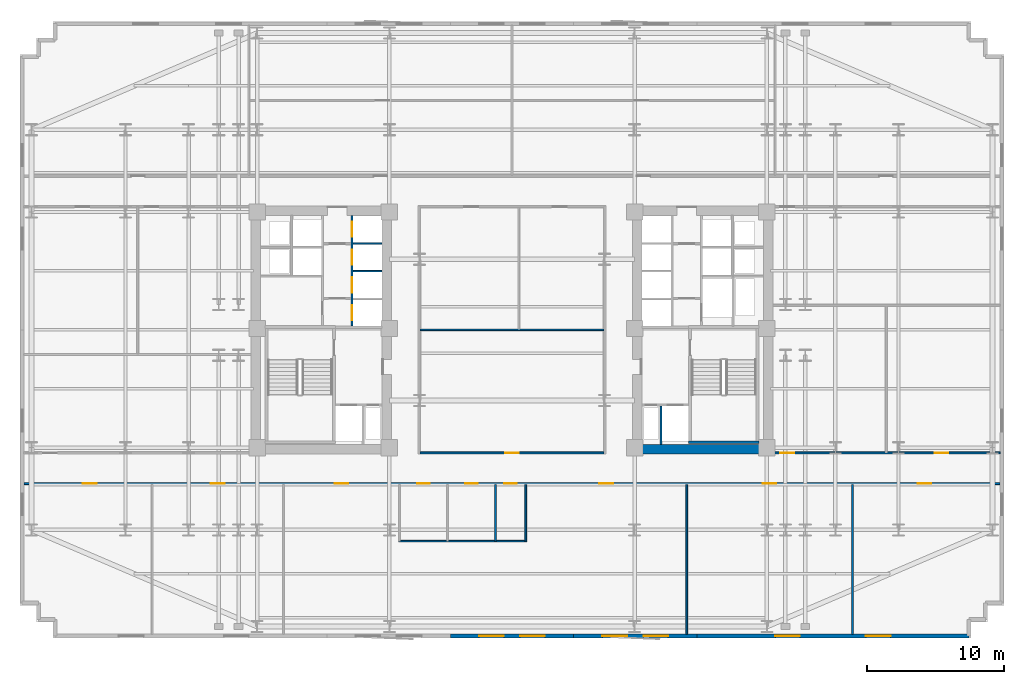
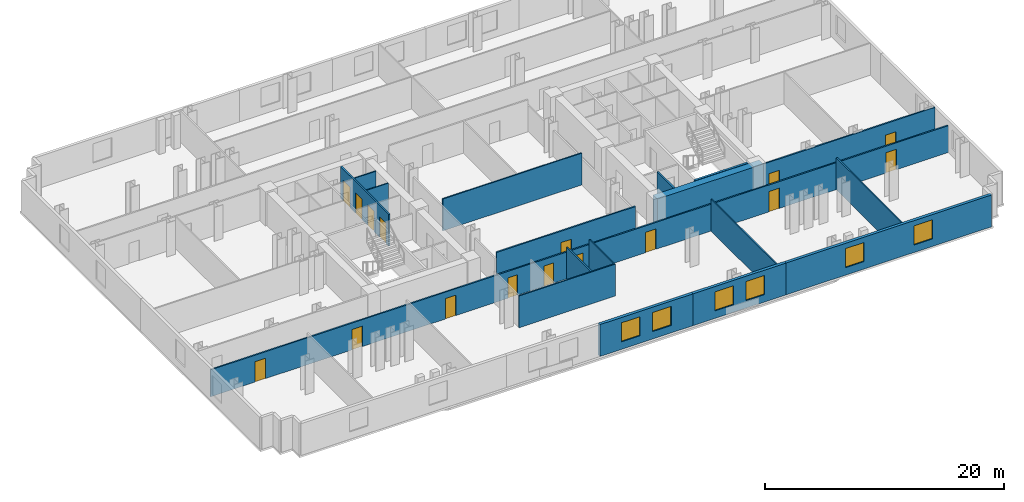
# One storey, part 5 of 10: 18 walls, 16 doors, 6 windows, 22 openings.
"""IFC4 building model written with IfcOpenShell, lengths in metres."""

from ifc_helpers import new_model, si_unit, direction, frame, frame_2d, origin, place, context, subcontext, project, spatial, rectangle, extrude, material, layer, layer_set, type_object, element, fill, save


model = new_model("IFC4")

# Units and contexts
model_context = context("Model", 3, precision=1e-05, world=origin(), true_north=direction((0.0, 1.0)))
body_context = subcontext(model_context, "Body", "Model", "MODEL_VIEW")
ifc_project = project(units=[si_unit("LENGTHUNIT", "METRE"), si_unit("AREAUNIT", "SQUARE_METRE"), si_unit("VOLUMEUNIT", "CUBIC_METRE"), si_unit("PLANEANGLEUNIT", "RADIAN"), si_unit("MASSUNIT", "GRAM", prefix="KILO")], contexts=[model_context])

# Site, building, storey
site_placement = place(None, origin())
site = spatial("IfcSite", under=ifc_project, at=site_placement, CompositionType="ELEMENT")
building_placement = place(site_placement, origin())
building = spatial("IfcBuilding", under=site, at=building_placement, Name="Velakula Bourse", CompositionType="ELEMENT")
storey_placement = place(building_placement, frame((0.0, 0.0, 55.35009765625)))
storey = spatial("IfcBuildingStorey", under=building, at=storey_placement, Name="L14", CompositionType="ELEMENT", Elevation=55.35009765625)

# Walls
ifc_material_1 = material(Name="Concrete M50 (fck 50 MPa)", Category="concrete")
ifc_layer_1 = layer(ifc_material_1, 0.2099609375, Name="Concrete M50 (fck 50 MPa)", Category="concrete")
ifc_layer_set_1 = layer_set([ifc_layer_1], Name="Concrete M50 (fck 50 MPa)")
wall_type_1 = type_object("IfcWallType", Name="WL-CORE-210", PredefinedType="SHEAR", material=ifc_layer_set_1)
wall_1_placement = place(storey_placement, frame((12.889892578125, -8.205078125, 0.0), z_axis=(0.0, 0.0, 1.0), x_axis=(1.0, 0.0, 0.0)))
element("IfcWall", 1, at=wall_1_placement, inside=storey, type_object=wall_type_1, Name="L14 Core E Stairwell Shear Wall S", PredefinedType="SHEAR", context=body_context, shape_type="SweptSolid", body=[
    extrude(rectangle(XDim=5.14013671875, YDim=0.2099609375, at=frame_2d((2.570068359375, 0.0))), origin(), (0.0, 0.0, 1.0), 3.27001953125),
])
ifc_material_2 = material(Name="Concrete M70 (fck 70 MPa)", Category="concrete")
ifc_layer_2 = layer(ifc_material_2, 0.699951171875, Name="Concrete M70 (fck 70 MPa)", Category="concrete")
ifc_layer_set_2 = layer_set([ifc_layer_2], Name="Concrete M70 (fck 70 MPa)")
wall_type_2 = type_object("IfcWallType", Name="WL-CORE-700", PredefinedType="SHEAR", material=ifc_layer_set_2)
wall_2_placement = place(storey_placement, frame((8.800048828125, -8.699951171875, 0.0), z_axis=(0.0, 0.0, 1.0), x_axis=(1.0, 0.0, 0.0)))
element("IfcWall", 2, at=wall_2_placement, inside=storey, type_object=wall_type_2, Name="L14 Core E Shear Wall S", PredefinedType="SHEAR", context=body_context, shape_type="SweptSolid", body=[
    extrude(rectangle(XDim=10.25, YDim=0.699951171875, at=frame_2d((5.125, 0.0))), origin(), (0.0, 0.0, 1.0), 3.27001953125),
])

# Wall, openings, windows
ifc_material_3 = material(Name="Red kilned clay facing brick masonry", Category="masonry")
ifc_layer_3 = layer(ifc_material_3, 0.280029296875, Name="Red kilned clay facing brick masonry", Category="masonry")
ifc_layer_set_3 = layer_set([ifc_layer_3], Name="Red kilned clay facing brick masonry")
wall_type_3 = type_object("IfcWallType", Name="WL-EXT-BRK-280", PredefinedType="STANDARD", material=ifc_layer_set_3)
wall_3_placement = place(storey_placement, frame((4.5, -22.340087890625, 0.0), z_axis=(0.0, 0.0, 1.0), x_axis=(-1.0, 0.0, 0.0)))
wall_3 = element("IfcWall", 3, at=wall_3_placement, inside=storey, type_object=wall_type_3, Name="L14 S Brick Spandrel Wall B3", PredefinedType="STANDARD", context=body_context, shape_type="SweptSolid", body=[
    extrude(rectangle(XDim=9.0, YDim=0.280029296875, at=frame_2d((4.5, 0.0))), origin(), (0.0, 0.0, 1.0), 3.25),
])
opening_1_placement = place(wall_3_placement, frame((2.10009765625, 0.0, 0.760009765625)))
opening_1 = element("IfcOpeningElement", 4, at=opening_1_placement, cuts=wall_3, Name="Opening W-01", PredefinedType="OPENING", context=body_context, shape_type="SweptSolid", body=[
    extrude(rectangle(XDim=1.800048828125, YDim=1.949951171875, at=frame_2d((0.89990234375, 0.97509765625))), frame((0.0, 0.14990234375, 0.0), z_axis=(0.0, -1.0, 0.0), x_axis=(1.0, 0.0, 0.0)), (0.0, 0.0, 1.0), 0.300048828125),
])
opening_2_placement = place(wall_3_placement, frame((5.10009765625, 0.0, 0.760009765625)))
opening_2 = element("IfcOpeningElement", 5, at=opening_2_placement, cuts=wall_3, Name="Opening W-01", PredefinedType="OPENING", context=body_context, shape_type="SweptSolid", body=[
    extrude(rectangle(XDim=1.800048828125, YDim=1.949951171875, at=frame_2d((0.89990234375, 0.97509765625))), frame((0.0, 0.14990234375, 0.0), z_axis=(0.0, -1.0, 0.0), x_axis=(1.0, 0.0, 0.0)), (0.0, 0.0, 1.0), 0.300048828125),
])
ifc_material_4 = material(Name="Double-glazed solar-control Low-E glass", Category="glass")
window_type = type_object("IfcWindowType", Name="WIN-TWR-1800x2100", PartitioningType="SINGLE_PANEL", PredefinedType="WINDOW", material=ifc_material_4)
window_1_placement = place(opening_1_placement, origin())
window_1 = element("IfcWindow", 6, at=window_1_placement, inside=storey, type_object=window_type, Name="L14 Deep-Set Recessed Window 1", OverallHeight=1.949951171875, OverallWidth=1.800048828125, PartitioningType="SINGLE_PANEL", PredefinedType="WINDOW", context=body_context, shape_type="SweptSolid", body=[
    extrude(rectangle(XDim=1.800048828125, YDim=1.949951171875, at=frame_2d((0.89990234375, 0.97509765625))), frame((0.0, 0.030029296875, 0.0), z_axis=(0.0, -1.0, 0.0), x_axis=(1.0, 0.0, 0.0)), (0.0, 0.0, 1.0), 0.06005859375),
])
fill(opening_1, window_1)
window_2_placement = place(opening_2_placement, origin())
window_2 = element("IfcWindow", 7, at=window_2_placement, inside=storey, type_object=window_type, Name="L14 Deep-Set Recessed Window 2", OverallHeight=1.949951171875, OverallWidth=1.800048828125, PartitioningType="SINGLE_PANEL", PredefinedType="WINDOW", context=body_context, shape_type="SweptSolid", body=[
    extrude(rectangle(XDim=1.800048828125, YDim=1.949951171875, at=frame_2d((0.89990234375, 0.97509765625))), frame((0.0, 0.030029296875, 0.0), z_axis=(0.0, -1.0, 0.0), x_axis=(1.0, 0.0, 0.0)), (0.0, 0.0, 1.0), 0.06005859375),
])
fill(opening_2, window_2)

wall_4_placement = place(storey_placement, frame((13.5, -22.340087890625, 0.0), z_axis=(0.0, 0.0, 1.0), x_axis=(-1.0, 0.0, 0.0)))
wall_4 = element("IfcWall", 8, at=wall_4_placement, inside=storey, type_object=wall_type_3, Name="L14 S Brick Spandrel Wall B4", PredefinedType="STANDARD", context=body_context, shape_type="SweptSolid", body=[
    extrude(rectangle(XDim=9.0, YDim=0.280029296875, at=frame_2d((4.5, 0.0))), origin(), (0.0, 0.0, 1.0), 3.25),
])
opening_3_placement = place(wall_4_placement, frame((2.10009765625, 0.0, 0.760009765625)))
opening_3 = element("IfcOpeningElement", 9, at=opening_3_placement, cuts=wall_4, Name="Opening W-01", PredefinedType="OPENING", context=body_context, shape_type="SweptSolid", body=[
    extrude(rectangle(XDim=1.800048828125, YDim=1.949951171875, at=frame_2d((0.89990234375, 0.97509765625))), frame((0.0, 0.14990234375, 0.0), z_axis=(0.0, -1.0, 0.0), x_axis=(1.0, 0.0, 0.0)), (0.0, 0.0, 1.0), 0.300048828125),
])
opening_4_placement = place(wall_4_placement, frame((5.10009765625, 0.0, 0.760009765625)))
opening_4 = element("IfcOpeningElement", 10, at=opening_4_placement, cuts=wall_4, Name="Opening W-01", PredefinedType="OPENING", context=body_context, shape_type="SweptSolid", body=[
    extrude(rectangle(XDim=1.800048828125, YDim=1.949951171875, at=frame_2d((0.89990234375, 0.97509765625))), frame((0.0, 0.14990234375, 0.0), z_axis=(0.0, -1.0, 0.0), x_axis=(1.0, 0.0, 0.0)), (0.0, 0.0, 1.0), 0.300048828125),
])
window_3_placement = place(opening_3_placement, origin())
window_3 = element("IfcWindow", 11, at=window_3_placement, inside=storey, type_object=window_type, Name="L14 Deep-Set Recessed Window 1", OverallHeight=1.949951171875, OverallWidth=1.800048828125, PartitioningType="SINGLE_PANEL", PredefinedType="WINDOW", context=body_context, shape_type="SweptSolid", body=[
    extrude(rectangle(XDim=1.800048828125, YDim=1.949951171875, at=frame_2d((0.89990234375, 0.97509765625))), frame((0.0, 0.030029296875, 0.0), z_axis=(0.0, -1.0, 0.0), x_axis=(1.0, 0.0, 0.0)), (0.0, 0.0, 1.0), 0.06005859375),
])
fill(opening_3, window_3)
window_4_placement = place(opening_4_placement, origin())
window_4 = element("IfcWindow", 12, at=window_4_placement, inside=storey, type_object=window_type, Name="L14 Deep-Set Recessed Window 2", OverallHeight=1.949951171875, OverallWidth=1.800048828125, PartitioningType="SINGLE_PANEL", PredefinedType="WINDOW", context=body_context, shape_type="SweptSolid", body=[
    extrude(rectangle(XDim=1.800048828125, YDim=1.949951171875, at=frame_2d((0.89990234375, 0.97509765625))), frame((0.0, 0.030029296875, 0.0), z_axis=(0.0, -1.0, 0.0), x_axis=(1.0, 0.0, 0.0)), (0.0, 0.0, 1.0), 0.06005859375),
])
fill(opening_4, window_4)

wall_5_placement = place(storey_placement, frame((33.340087890625, -22.340087890625, 0.0), z_axis=(0.0, 0.0, 1.0), x_axis=(-1.0, 0.0, 0.0)))
wall_5 = element("IfcWall", 13, at=wall_5_placement, inside=storey, type_object=wall_type_3, Name="L14 S Brick Spandrel Wall B5", PredefinedType="STANDARD", context=body_context, shape_type="SweptSolid", body=[
    extrude(rectangle(XDim=19.840087890625, YDim=0.280029296875, at=frame_2d((9.919921875, 0.0))), origin(), (0.0, 0.0, 1.0), 3.25),
])
opening_5_placement = place(wall_5_placement, frame((5.71337890625, 0.0, 0.760009765625)))
opening_5 = element("IfcOpeningElement", 14, at=opening_5_placement, cuts=wall_5, Name="Opening W-01", PredefinedType="OPENING", context=body_context, shape_type="SweptSolid", body=[
    extrude(rectangle(XDim=1.800048828125, YDim=1.949951171875, at=frame_2d((0.89990234375, 0.97509765625))), frame((0.0, 0.14990234375, 0.0), z_axis=(0.0, -1.0, 0.0), x_axis=(1.0, 0.0, 0.0)), (0.0, 0.0, 1.0), 0.300048828125),
])
opening_6_placement = place(wall_5_placement, frame((12.32666015625, 0.0, 0.760009765625)))
opening_6 = element("IfcOpeningElement", 15, at=opening_6_placement, cuts=wall_5, Name="Opening W-01", PredefinedType="OPENING", context=body_context, shape_type="SweptSolid", body=[
    extrude(rectangle(XDim=1.800048828125, YDim=1.949951171875, at=frame_2d((0.89990234375, 0.97509765625))), frame((0.0, 0.14990234375, 0.0), z_axis=(0.0, -1.0, 0.0), x_axis=(1.0, 0.0, 0.0)), (0.0, 0.0, 1.0), 0.300048828125),
])
window_5_placement = place(opening_5_placement, origin())
window_5 = element("IfcWindow", 16, at=window_5_placement, inside=storey, type_object=window_type, Name="L14 Deep-Set Recessed Window 1", OverallHeight=1.949951171875, OverallWidth=1.800048828125, PartitioningType="SINGLE_PANEL", PredefinedType="WINDOW", context=body_context, shape_type="SweptSolid", body=[
    extrude(rectangle(XDim=1.800048828125, YDim=1.949951171875, at=frame_2d((0.89990234375, 0.97509765625))), frame((0.0, 0.030029296875, 0.0), z_axis=(0.0, -1.0, 0.0), x_axis=(1.0, 0.0, 0.0)), (0.0, 0.0, 1.0), 0.06005859375),
])
fill(opening_5, window_5)
window_6_placement = place(opening_6_placement, origin())
window_6 = element("IfcWindow", 17, at=window_6_placement, inside=storey, type_object=window_type, Name="L14 Deep-Set Recessed Window 2", OverallHeight=1.949951171875, OverallWidth=1.800048828125, PartitioningType="SINGLE_PANEL", PredefinedType="WINDOW", context=body_context, shape_type="SweptSolid", body=[
    extrude(rectangle(XDim=1.800048828125, YDim=1.949951171875, at=frame_2d((0.89990234375, 0.97509765625))), frame((0.0, 0.030029296875, 0.0), z_axis=(0.0, -1.0, 0.0), x_axis=(1.0, 0.0, 0.0)), (0.0, 0.0, 1.0), 0.06005859375),
])
fill(opening_6, window_6)

# Walls
ifc_material_5 = material(Name="Fire-rated double-layer gypsum drywall partition", Category="gypsum")
ifc_layer_4 = layer(ifc_material_5, 0.1201171875, Name="Fire-rated double-layer gypsum drywall partition", Category="gypsum")
ifc_layer_set_4 = layer_set([ifc_layer_4], Name="Fire-rated double-layer gypsum drywall partition")
wall_type_4 = type_object("IfcWallType", Name="WL-PART-120", PredefinedType="STANDARD", material=ifc_layer_set_4)
for number, where, z_axis, x_axis, name in (
    (18, (-11.60009765625, 4.284912109375, 0.0), (0.0, 0.0, 1.0), (1.0, 0.0, 0.0), "L14 Interior Partition WL-CRW-L14-BDIV-1"),
    (19, (-11.60009765625, 6.31494140625, 0.0), (0.0, 0.0, 1.0), (1.0, 0.0, 0.0), "L14 Interior Partition WL-CRW-L14-BDIV-2"),
):
    element("IfcWall", number, at=place(storey_placement, frame(where, z_axis=z_axis, x_axis=x_axis)), inside=storey, type_object=wall_type_4, Name=name, PredefinedType="STANDARD", context=body_context, shape_type="SweptSolid", body=[
        extrude(rectangle(XDim=2.10009765625, YDim=0.110107421875, at=frame_2d((1.050048828125, 0.0))), origin(), (0.0, 0.0, 1.0), 3.25),
    ])
wall_6_placement = place(storey_placement, frame((-8.260009765625, -15.419921875, 0.0), z_axis=(0.0, 0.0, 1.0), x_axis=(1.0, 0.0, 0.0)))
element("IfcWall", 20, at=wall_6_placement, inside=storey, type_object=wall_type_4, Name="L14 Interior Partition WL-WC-L14-BACK", PredefinedType="STANDARD", context=body_context, shape_type="SweptSolid", body=[
    extrude(rectangle(XDim=9.320068359375, YDim=0.1201171875, at=frame_2d((4.66015625, 0.0))), origin(), (0.0, 0.0, 1.0), 3.25),
])
for number, where, z_axis, x_axis, name in (
    (21, (-1.199951171875, -15.419921875, 0.0), (0.0, 0.0, 1.0), (0.0, 1.0, 0.0), "L14 Interior Partition WL-WC-L14-V3"),
    (22, (1.0, -15.419921875, 0.0), (0.0, 0.0, 1.0), (0.0, 1.0, 0.0), "L14 Interior Partition WL-WC-L14-V4"),
):
    element("IfcWall", number, at=place(storey_placement, frame(where, z_axis=z_axis, x_axis=x_axis)), inside=storey, type_object=wall_type_4, Name=name, PredefinedType="STANDARD", context=body_context, shape_type="SweptSolid", body=[
        extrude(rectangle(XDim=4.1298828125, YDim=0.1201171875, at=frame_2d((2.06494140625, 0.0))), origin(), (0.0, 0.0, 1.0), 3.25),
    ])
for number, where, z_axis, x_axis, name in (
    (23, (12.75, -22.219970703125, 0.0), (0.0, 0.0, 1.0), (0.0, 1.0, 0.0), "L14 Interior Partition WL-INT-L14-SR-D7"),
    (24, (24.845947265625, -22.219970703125, 0.0), (0.0, 0.0, 1.0), (0.0, 1.0, 0.0), "L14 Interior Partition WL-INT-L14-SR-D8"),
):
    element("IfcWall", number, at=place(storey_placement, frame(where, z_axis=z_axis, x_axis=x_axis)), inside=storey, type_object=wall_type_4, Name=name, PredefinedType="STANDARD", context=body_context, shape_type="SweptSolid", body=[
        extrude(rectangle(XDim=10.929931640625, YDim=0.1201171875, at=frame_2d((5.46484375, 0.0))), origin(), (0.0, 0.0, 1.0), 3.25),
    ])

# Wall, openings, doors
ifc_layer_5 = layer(ifc_material_5, 0.139892578125, Name="Fire-rated double-layer gypsum drywall partition", Category="gypsum")
ifc_layer_set_5 = layer_set([ifc_layer_5], Name="Fire-rated double-layer gypsum drywall partition")
wall_type_5 = type_object("IfcWallType", Name="WL-PART-140", PredefinedType="STANDARD", material=ifc_layer_set_5)
wall_7_placement = place(storey_placement, frame((-35.6201171875, -11.219970703125, 0.0), z_axis=(0.0, 0.0, 1.0), x_axis=(1.0, 0.0, 0.0)))
wall_7 = element("IfcWall", 25, at=wall_7_placement, inside=storey, type_object=wall_type_5, Name="L14 Interior Partition WL-INT-L14-S-CORR", PredefinedType="STANDARD", context=body_context, shape_type="SweptSolid", body=[
    extrude(rectangle(XDim=71.240234375, YDim=0.139892578125, at=frame_2d((35.6201171875, 0.0))), origin(), (0.0, 0.0, 1.0), 2.744873046875),
])
opening_7_placement = place(wall_7_placement, frame((28.7099609375, 0.0, 0.0)))
opening_7 = element("IfcOpeningElement", 26, at=opening_7_placement, cuts=wall_7, Name="Opening D-WT1", PredefinedType="OPENING", context=body_context, shape_type="SweptSolid", body=[
    extrude(rectangle(XDim=0.919921875, YDim=2.080078125, at=frame_2d((0.4599609375, 1.0400390625))), frame((0.0, 0.079833984375, 0.0), z_axis=(0.0, -1.0, 0.0), x_axis=(1.0, 0.0, 0.0)), (0.0, 0.0, 1.0), 0.159912109375),
])
opening_8_placement = place(wall_7_placement, frame((32.2099609375, 0.0, 0.0)))
opening_8 = element("IfcOpeningElement", 27, at=opening_8_placement, cuts=wall_7, Name="Opening D-WT1", PredefinedType="OPENING", context=body_context, shape_type="SweptSolid", body=[
    extrude(rectangle(XDim=0.919921875, YDim=2.080078125, at=frame_2d((0.4599609375, 1.0400390625))), frame((0.0, 0.079833984375, 0.0), z_axis=(0.0, -1.0, 0.0), x_axis=(1.0, 0.0, 0.0)), (0.0, 0.0, 1.0), 0.159912109375),
])
opening_9_placement = place(wall_7_placement, frame((35.06005859375, 0.0, 0.0)))
opening_9 = element("IfcOpeningElement", 28, at=opening_9_placement, cuts=wall_7, Name="Opening D-WC1", PredefinedType="OPENING", context=body_context, shape_type="SweptSolid", body=[
    extrude(rectangle(XDim=0.919921875, YDim=2.080078125, at=frame_2d((0.4599609375, 1.0400390625))), frame((0.0, 0.079833984375, 0.0), z_axis=(0.0, -1.0, 0.0), x_axis=(1.0, 0.0, 0.0)), (0.0, 0.0, 1.0), 0.159912109375),
])
opening_10_placement = place(wall_7_placement, frame((4.306884765625, 0.0, 0.0)))
opening_10 = element("IfcOpeningElement", 29, at=opening_10_placement, cuts=wall_7, Name="Opening D-OF1", PredefinedType="OPENING", context=body_context, shape_type="SweptSolid", body=[
    extrude(rectangle(XDim=1.0, YDim=2.080078125, at=frame_2d((0.5, 1.0400390625))), frame((0.0, 0.079833984375, 0.0), z_axis=(0.0, -1.0, 0.0), x_axis=(1.0, 0.0, 0.0)), (0.0, 0.0, 1.0), 0.159912109375),
])
opening_11_placement = place(wall_7_placement, frame((13.64990234375, 0.0, 0.0)))
opening_11 = element("IfcOpeningElement", 30, at=opening_11_placement, cuts=wall_7, Name="Opening D-OF1", PredefinedType="OPENING", context=body_context, shape_type="SweptSolid", body=[
    extrude(rectangle(XDim=1.0, YDim=2.080078125, at=frame_2d((0.5, 1.0400390625))), frame((0.0, 0.079833984375, 0.0), z_axis=(0.0, -1.0, 0.0), x_axis=(1.0, 0.0, 0.0)), (0.0, 0.0, 1.0), 0.159912109375),
])
opening_12_placement = place(wall_7_placement, frame((22.678955078125, 0.0, 0.0)))
opening_12 = element("IfcOpeningElement", 31, at=opening_12_placement, cuts=wall_7, Name="Opening D-OF1", PredefinedType="OPENING", context=body_context, shape_type="SweptSolid", body=[
    extrude(rectangle(XDim=1.0, YDim=2.080078125, at=frame_2d((0.5, 1.0400390625))), frame((0.0, 0.079833984375, 0.0), z_axis=(0.0, -1.0, 0.0), x_axis=(1.0, 0.0, 0.0)), (0.0, 0.0, 1.0), 0.159912109375),
])
opening_13_placement = place(wall_7_placement, frame((41.9951171875, 0.0, 0.0)))
opening_13 = element("IfcOpeningElement", 32, at=opening_13_placement, cuts=wall_7, Name="Opening D-OF1", PredefinedType="OPENING", context=body_context, shape_type="SweptSolid", body=[
    extrude(rectangle(XDim=1.0, YDim=2.080078125, at=frame_2d((0.5, 1.0400390625))), frame((0.0, 0.079833984375, 0.0), z_axis=(0.0, -1.0, 0.0), x_axis=(1.0, 0.0, 0.0)), (0.0, 0.0, 1.0), 0.159912109375),
])
opening_14_placement = place(wall_7_placement, frame((53.91796875, 0.0, 0.0)))
opening_14 = element("IfcOpeningElement", 33, at=opening_14_placement, cuts=wall_7, Name="Opening D-OF1", PredefinedType="OPENING", context=body_context, shape_type="SweptSolid", body=[
    extrude(rectangle(XDim=1.0, YDim=2.080078125, at=frame_2d((0.5, 1.0400390625))), frame((0.0, 0.079833984375, 0.0), z_axis=(0.0, -1.0, 0.0), x_axis=(1.0, 0.0, 0.0)), (0.0, 0.0, 1.0), 0.159912109375),
])
opening_15_placement = place(wall_7_placement, frame((65.22705078125, 0.0, 0.0)))
opening_15 = element("IfcOpeningElement", 34, at=opening_15_placement, cuts=wall_7, Name="Opening D-OF1", PredefinedType="OPENING", context=body_context, shape_type="SweptSolid", body=[
    extrude(rectangle(XDim=1.0, YDim=2.080078125, at=frame_2d((0.5, 1.0400390625))), frame((0.0, 0.079833984375, 0.0), z_axis=(0.0, -1.0, 0.0), x_axis=(1.0, 0.0, 0.0)), (0.0, 0.0, 1.0), 0.159912109375),
])
ifc_material_6 = material(Name="Fire-rated hardwood flush architectural door", Category="wood")
door_type_1 = type_object("IfcDoorType", Name="DR-OFF-1000", OperationType="NOTDEFINED", PredefinedType="DOOR", material=ifc_material_6)
door_1_placement = place(opening_10_placement, origin())
door_1 = element("IfcDoor", 35, at=door_1_placement, inside=storey, type_object=door_type_1, Name="L14 Breakout Dining Lounge Door", OperationType="SINGLE_SWING_RIGHT", OverallHeight=2.080078125, OverallWidth=1.0, PredefinedType="DOOR", context=body_context, shape_type="SweptSolid", body=[
    extrude(rectangle(XDim=1.0, YDim=2.080078125, at=frame_2d((0.5, 1.0400390625))), frame((0.0, 0.02490234375, 0.0), z_axis=(0.0, -1.0, 0.0), x_axis=(1.0, 0.0, 0.0)), (0.0, 0.0, 1.0), 0.050048828125),
])
fill(opening_10, door_1)
door_2_placement = place(opening_11_placement, origin())
door_2 = element("IfcDoor", 36, at=door_2_placement, inside=storey, type_object=door_type_1, Name="L14 Issuer Relations Office Door", OperationType="SINGLE_SWING_LEFT", OverallHeight=2.080078125, OverallWidth=1.0, PredefinedType="DOOR", context=body_context, shape_type="SweptSolid", body=[
    extrude(rectangle(XDim=1.0, YDim=2.080078125, at=frame_2d((0.5, 1.0400390625))), frame((0.0, 0.02490234375, 0.0), z_axis=(0.0, -1.0, 0.0), x_axis=(1.0, 0.0, 0.0)), (0.0, 0.0, 1.0), 0.050048828125),
])
fill(opening_11, door_2)
door_3_placement = place(opening_12_placement, origin())
door_3 = element("IfcDoor", 37, at=door_3_placement, inside=storey, type_object=door_type_1, Name="L14 Training Classroom Door", OperationType="SINGLE_SWING_RIGHT", OverallHeight=2.080078125, OverallWidth=1.0, PredefinedType="DOOR", context=body_context, shape_type="SweptSolid", body=[
    extrude(rectangle(XDim=1.0, YDim=2.080078125, at=frame_2d((0.5, 1.0400390625))), frame((0.0, 0.02490234375, 0.0), z_axis=(0.0, -1.0, 0.0), x_axis=(1.0, 0.0, 0.0)), (0.0, 0.0, 1.0), 0.050048828125),
])
fill(opening_12, door_3)
door_4_placement = place(opening_13_placement, origin())
door_4 = element("IfcDoor", 38, at=door_4_placement, inside=storey, type_object=door_type_1, Name="L14 Tea Room Kitchenette Door", OperationType="SINGLE_SWING_LEFT", OverallHeight=2.080078125, OverallWidth=1.0, PredefinedType="DOOR", context=body_context, shape_type="SweptSolid", body=[
    extrude(rectangle(XDim=1.0, YDim=2.080078125, at=frame_2d((0.5, 1.0400390625))), frame((0.0, 0.02490234375, 0.0), z_axis=(0.0, -1.0, 0.0), x_axis=(1.0, 0.0, 0.0)), (0.0, 0.0, 1.0), 0.050048828125),
])
fill(opening_13, door_4)
door_5_placement = place(opening_14_placement, origin())
door_5 = element("IfcDoor", 39, at=door_5_placement, inside=storey, type_object=door_type_1, Name="L14 Market Data Feed Workspace Door", OperationType="SINGLE_SWING_RIGHT", OverallHeight=2.080078125, OverallWidth=1.0, PredefinedType="DOOR", context=body_context, shape_type="SweptSolid", body=[
    extrude(rectangle(XDim=1.0, YDim=2.080078125, at=frame_2d((0.5, 1.0400390625))), frame((0.0, 0.02490234375, 0.0), z_axis=(0.0, -1.0, 0.0), x_axis=(1.0, 0.0, 0.0)), (0.0, 0.0, 1.0), 0.050048828125),
])
fill(opening_14, door_5)
door_6_placement = place(opening_15_placement, origin())
door_6 = element("IfcDoor", 40, at=door_6_placement, inside=storey, type_object=door_type_1, Name="L14 Asset Allocation Office Door", OperationType="SINGLE_SWING_LEFT", OverallHeight=2.080078125, OverallWidth=1.0, PredefinedType="DOOR", context=body_context, shape_type="SweptSolid", body=[
    extrude(rectangle(XDim=1.0, YDim=2.080078125, at=frame_2d((0.5, 1.0400390625))), frame((0.0, 0.02490234375, 0.0), z_axis=(0.0, -1.0, 0.0), x_axis=(1.0, 0.0, 0.0)), (0.0, 0.0, 1.0), 0.050048828125),
])
fill(opening_15, door_6)
door_type_2 = type_object("IfcDoorType", Name="DR-WC-950", OperationType="NOTDEFINED", PredefinedType="DOOR", material=ifc_material_6)
door_7_placement = place(opening_7_placement, origin())
door_7 = element("IfcDoor", 41, at=door_7_placement, inside=storey, type_object=door_type_2, Name="L14 Male Staff Toilet Door", OperationType="SINGLE_SWING_LEFT", OverallHeight=2.080078125, OverallWidth=0.919921875, PredefinedType="DOOR", context=body_context, shape_type="SweptSolid", body=[
    extrude(rectangle(XDim=0.919921875, YDim=2.080078125, at=frame_2d((0.4599609375, 1.0400390625))), frame((0.0, 0.02490234375, 0.0), z_axis=(0.0, -1.0, 0.0), x_axis=(1.0, 0.0, 0.0)), (0.0, 0.0, 1.0), 0.050048828125),
])
fill(opening_7, door_7)
door_8_placement = place(opening_8_placement, origin())
door_8 = element("IfcDoor", 42, at=door_8_placement, inside=storey, type_object=door_type_2, Name="L14 Female Staff Toilet Door", OperationType="SINGLE_SWING_RIGHT", OverallHeight=2.080078125, OverallWidth=0.919921875, PredefinedType="DOOR", context=body_context, shape_type="SweptSolid", body=[
    extrude(rectangle(XDim=0.919921875, YDim=2.080078125, at=frame_2d((0.4599609375, 1.0400390625))), frame((0.0, 0.02490234375, 0.0), z_axis=(0.0, -1.0, 0.0), x_axis=(1.0, 0.0, 0.0)), (0.0, 0.0, 1.0), 0.050048828125),
])
fill(opening_8, door_8)
door_9_placement = place(opening_9_placement, origin())
door_9 = element("IfcDoor", 43, at=door_9_placement, inside=storey, type_object=door_type_2, Name="L14 Accessible WC Door", OperationType="SINGLE_SWING_LEFT", OverallHeight=2.080078125, OverallWidth=0.919921875, PredefinedType="DOOR", context=body_context, shape_type="SweptSolid", body=[
    extrude(rectangle(XDim=0.919921875, YDim=2.080078125, at=frame_2d((0.4599609375, 1.0400390625))), frame((0.0, 0.02490234375, 0.0), z_axis=(0.0, -1.0, 0.0), x_axis=(1.0, 0.0, 0.0)), (0.0, 0.0, 1.0), 0.050048828125),
])
fill(opening_9, door_9)

wall_8_placement = place(storey_placement, frame((19.050048828125, -8.97998046875, 0.0), z_axis=(0.0, 0.0, 1.0), x_axis=(1.0, 0.0, 0.0)))
wall_8 = element("IfcWall", 44, at=wall_8_placement, inside=storey, type_object=wall_type_5, Name="L14 Interior Partition WL-INT-L14-E-SC", PredefinedType="STANDARD", context=body_context, shape_type="SweptSolid", body=[
    extrude(rectangle(XDim=16.570068359375, YDim=0.139892578125, at=frame_2d((8.28515625, 0.0))), origin(), (0.0, 0.0, 1.0), 3.25),
])
opening_16_placement = place(wall_8_placement, frame((0.534912109375, 0.0, 0.0)))
opening_16 = element("IfcOpeningElement", 45, at=opening_16_placement, cuts=wall_8, Name="Opening D-OF1", PredefinedType="OPENING", context=body_context, shape_type="SweptSolid", body=[
    extrude(rectangle(XDim=1.0, YDim=2.080078125, at=frame_2d((0.5, 1.0400390625))), frame((0.0, 0.079833984375, 0.0), z_axis=(0.0, -1.0, 0.0), x_axis=(1.0, 0.0, 0.0)), (0.0, 0.0, 1.0), 0.159912109375),
])
opening_17_placement = place(wall_8_placement, frame((11.782470703125, 0.0, 0.0)))
opening_17 = element("IfcOpeningElement", 46, at=opening_17_placement, cuts=wall_8, Name="Opening D-OF1", PredefinedType="OPENING", context=body_context, shape_type="SweptSolid", body=[
    extrude(rectangle(XDim=1.0, YDim=2.080078125, at=frame_2d((0.5, 1.0400390625))), frame((0.0, 0.079833984375, 0.0), z_axis=(0.0, -1.0, 0.0), x_axis=(1.0, 0.0, 0.0)), (0.0, 0.0, 1.0), 0.159912109375),
])
door_10_placement = place(opening_16_placement, origin())
door_10 = element("IfcDoor", 47, at=door_10_placement, inside=storey, type_object=door_type_1, Name="L14 Cybersecurity Operations Workspace Door", OperationType="SINGLE_SWING_RIGHT", OverallHeight=2.080078125, OverallWidth=1.0, PredefinedType="DOOR", context=body_context, shape_type="SweptSolid", body=[
    extrude(rectangle(XDim=1.0, YDim=2.080078125, at=frame_2d((0.5, 1.0400390625))), frame((0.0, 0.02490234375, 0.0), z_axis=(0.0, -1.0, 0.0), x_axis=(1.0, 0.0, 0.0)), (0.0, 0.0, 1.0), 0.050048828125),
])
fill(opening_16, door_10)
door_11_placement = place(opening_17_placement, origin())
door_11 = element("IfcDoor", 48, at=door_11_placement, inside=storey, type_object=door_type_1, Name="L14 Asset Allocation Office Door", OperationType="SINGLE_SWING_LEFT", OverallHeight=2.080078125, OverallWidth=1.0, PredefinedType="DOOR", context=body_context, shape_type="SweptSolid", body=[
    extrude(rectangle(XDim=1.0, YDim=2.080078125, at=frame_2d((0.5, 1.0400390625))), frame((0.0, 0.02490234375, 0.0), z_axis=(0.0, -1.0, 0.0), x_axis=(1.0, 0.0, 0.0)), (0.0, 0.0, 1.0), 0.050048828125),
])
fill(opening_17, door_11)

# Wall, opening, door
wall_9_placement = place(storey_placement, frame((-6.7099609375, -8.97998046875, 0.0), z_axis=(0.0, 0.0, 1.0), x_axis=(1.0, 0.0, 0.0)))
wall_9 = element("IfcWall", 49, at=wall_9_placement, inside=storey, type_object=wall_type_5, Name="L14 Interior Partition WL-INT-L14-MID-S", PredefinedType="STANDARD", context=body_context, shape_type="SweptSolid", body=[
    extrude(rectangle(XDim=13.419921875, YDim=0.139892578125, at=frame_2d((6.7099609375, 0.0))), origin(), (0.0, 0.0, 1.0), 3.25),
])
opening_18_placement = place(wall_9_placement, frame((6.2099609375, 0.0, 0.0)))
opening_18 = element("IfcOpeningElement", 50, at=opening_18_placement, cuts=wall_9, Name="Opening D-OF1", PredefinedType="OPENING", context=body_context, shape_type="SweptSolid", body=[
    extrude(rectangle(XDim=1.0, YDim=2.080078125, at=frame_2d((0.5, 1.0400390625))), frame((0.0, 0.079833984375, 0.0), z_axis=(0.0, -1.0, 0.0), x_axis=(1.0, 0.0, 0.0)), (0.0, 0.0, 1.0), 0.159912109375),
])
door_12_placement = place(opening_18_placement, origin())
door_12 = element("IfcDoor", 51, at=door_12_placement, inside=storey, type_object=door_type_1, Name="L14 Central Dealing Workspace Door", OperationType="SINGLE_SWING_RIGHT", OverallHeight=2.080078125, OverallWidth=1.0, PredefinedType="DOOR", context=body_context, shape_type="SweptSolid", body=[
    extrude(rectangle(XDim=1.0, YDim=2.080078125, at=frame_2d((0.5, 1.0400390625))), frame((0.0, 0.02490234375, 0.0), z_axis=(0.0, -1.0, 0.0), x_axis=(1.0, 0.0, 0.0)), (0.0, 0.0, 1.0), 0.050048828125),
])
fill(opening_18, door_12)

# Wall
wall_10_placement = place(storey_placement, frame((-6.7099609375, 0.0, 0.0), z_axis=(0.0, 0.0, 1.0), x_axis=(1.0, 0.0, 0.0)))
element("IfcWall", 52, at=wall_10_placement, inside=storey, type_object=wall_type_5, Name="L14 Interior Partition WL-INT-L14-MD3H", PredefinedType="STANDARD", context=body_context, shape_type="SweptSolid", body=[
    extrude(rectangle(XDim=13.419921875, YDim=0.1201171875, at=frame_2d((6.7099609375, 0.0))), origin(), (0.0, 0.0, 1.0), 3.25),
])

# Wall, openings, doors
ifc_material_7 = material(Name="Autoclaved aerated concrete blockwork masonry", Category="masonry")
ifc_layer_6 = layer(ifc_material_7, 0.14990234375, Name="Autoclaved aerated concrete blockwork masonry", Category="masonry")
ifc_layer_set_6 = layer_set([ifc_layer_6], Name="Autoclaved aerated concrete blockwork masonry")
wall_type_6 = type_object("IfcWallType", Name="WL-SHAFT-150", PredefinedType="STANDARD", material=ifc_layer_set_6)
wall_11_placement = place(storey_placement, frame((-11.675048828125, 0.27001953125, 0.0), z_axis=(0.0, 0.0, 1.0), x_axis=(0.0, 1.0, 0.0)))
wall_11 = element("IfcWall", 53, at=wall_11_placement, inside=storey, type_object=wall_type_6, Name="L14 Interior Partition WL-CRW-L14-BANK-F", PredefinedType="STANDARD", context=body_context, shape_type="SweptSolid", body=[
    extrude(rectangle(XDim=8.080078125, YDim=0.14990234375, at=frame_2d((4.0400390625, 0.0))), origin(), (0.0, 0.0, 1.0), 3.25),
])
opening_19_placement = place(wall_11_placement, frame((0.419921875, 0.0, 0.0)))
opening_19 = element("IfcOpeningElement", 54, at=opening_19_placement, cuts=wall_11, Name="Opening LD-P1", PredefinedType="OPENING", context=body_context, shape_type="SweptSolid", body=[
    extrude(rectangle(XDim=1.10009765625, YDim=2.10009765625, at=frame_2d((0.550048828125, 1.050048828125))), frame((0.0, 0.0849609375, 0.0), z_axis=(0.0, -1.0, 0.0), x_axis=(1.0, 0.0, 0.0)), (0.0, 0.0, 1.0), 0.169921875),
])
opening_20_placement = place(wall_11_placement, frame((2.449951171875, 0.0, 0.0)))
opening_20 = element("IfcOpeningElement", 55, at=opening_20_placement, cuts=wall_11, Name="Opening LD-P2", PredefinedType="OPENING", context=body_context, shape_type="SweptSolid", body=[
    extrude(rectangle(XDim=1.10009765625, YDim=2.10009765625, at=frame_2d((0.550048828125, 1.050048828125))), frame((0.0, 0.0849609375, 0.0), z_axis=(0.0, -1.0, 0.0), x_axis=(1.0, 0.0, 0.0)), (0.0, 0.0, 1.0), 0.169921875),
])
opening_21_placement = place(wall_11_placement, frame((4.47998046875, 0.0, 0.0)))
opening_21 = element("IfcOpeningElement", 56, at=opening_21_placement, cuts=wall_11, Name="Opening LD-P3", PredefinedType="OPENING", context=body_context, shape_type="SweptSolid", body=[
    extrude(rectangle(XDim=1.10009765625, YDim=2.10009765625, at=frame_2d((0.550048828125, 1.050048828125))), frame((0.0, 0.0849609375, 0.0), z_axis=(0.0, -1.0, 0.0), x_axis=(1.0, 0.0, 0.0)), (0.0, 0.0, 1.0), 0.169921875),
])
opening_22_placement = place(wall_11_placement, frame((6.510009765625, 0.0, 0.0)))
opening_22 = element("IfcOpeningElement", 57, at=opening_22_placement, cuts=wall_11, Name="Opening LD-P4", PredefinedType="OPENING", context=body_context, shape_type="SweptSolid", body=[
    extrude(rectangle(XDim=1.10009765625, YDim=2.10009765625, at=frame_2d((0.550048828125, 1.050048828125))), frame((0.0, 0.0849609375, 0.0), z_axis=(0.0, -1.0, 0.0), x_axis=(1.0, 0.0, 0.0)), (0.0, 0.0, 1.0), 0.169921875),
])
ifc_material_8 = material(Name="Brushed grade 316 stainless steel", Category="steel")
door_type_3 = type_object("IfcDoorType", Name="DR-SLIDE-LD-1100", OperationType="DOUBLE_DOOR_SLIDING", PredefinedType="DOOR", material=ifc_material_8)
door_13_placement = place(opening_19_placement, origin())
door_13 = element("IfcDoor", 58, at=door_13_placement, inside=storey, type_object=door_type_3, Name="L14 Passenger Lift P1 Sliding Landing Door", OperationType="DOUBLE_DOOR_SLIDING", OverallHeight=2.10009765625, OverallWidth=1.10009765625, PredefinedType="DOOR", context=body_context, shape_type="SweptSolid", body=[
    extrude(rectangle(XDim=1.10009765625, YDim=2.10009765625, at=frame_2d((0.550048828125, 1.050048828125))), frame((0.0, 0.02490234375, 0.0), z_axis=(0.0, -1.0, 0.0), x_axis=(1.0, 0.0, 0.0)), (0.0, 0.0, 1.0), 0.050048828125),
])
fill(opening_19, door_13)
door_14_placement = place(opening_20_placement, origin())
door_14 = element("IfcDoor", 59, at=door_14_placement, inside=storey, type_object=door_type_3, Name="L14 Passenger Lift P2 Sliding Landing Door", OperationType="DOUBLE_DOOR_SLIDING", OverallHeight=2.10009765625, OverallWidth=1.10009765625, PredefinedType="DOOR", context=body_context, shape_type="SweptSolid", body=[
    extrude(rectangle(XDim=1.10009765625, YDim=2.10009765625, at=frame_2d((0.550048828125, 1.050048828125))), frame((0.0, 0.02490234375, 0.0), z_axis=(0.0, -1.0, 0.0), x_axis=(1.0, 0.0, 0.0)), (0.0, 0.0, 1.0), 0.050048828125),
])
fill(opening_20, door_14)
door_15_placement = place(opening_21_placement, origin())
door_15 = element("IfcDoor", 60, at=door_15_placement, inside=storey, type_object=door_type_3, Name="L14 Passenger Lift P3 Sliding Landing Door", OperationType="DOUBLE_DOOR_SLIDING", OverallHeight=2.10009765625, OverallWidth=1.10009765625, PredefinedType="DOOR", context=body_context, shape_type="SweptSolid", body=[
    extrude(rectangle(XDim=1.10009765625, YDim=2.10009765625, at=frame_2d((0.550048828125, 1.050048828125))), frame((0.0, 0.02490234375, 0.0), z_axis=(0.0, -1.0, 0.0), x_axis=(1.0, 0.0, 0.0)), (0.0, 0.0, 1.0), 0.050048828125),
])
fill(opening_21, door_15)
door_16_placement = place(opening_22_placement, origin())
door_16 = element("IfcDoor", 61, at=door_16_placement, inside=storey, type_object=door_type_3, Name="L14 Passenger Lift P4 Sliding Landing Door", OperationType="DOUBLE_DOOR_SLIDING", OverallHeight=2.10009765625, OverallWidth=1.10009765625, PredefinedType="DOOR", context=body_context, shape_type="SweptSolid", body=[
    extrude(rectangle(XDim=1.10009765625, YDim=2.10009765625, at=frame_2d((0.550048828125, 1.050048828125))), frame((0.0, 0.02490234375, 0.0), z_axis=(0.0, -1.0, 0.0), x_axis=(1.0, 0.0, 0.0)), (0.0, 0.0, 1.0), 0.050048828125),
])
fill(opening_22, door_16)

# Wall
wall_12_placement = place(storey_placement, frame((10.875, -8.35009765625, 0.0), z_axis=(0.0, 0.0, 1.0), x_axis=(0.0, 1.0, 0.0)))
element("IfcWall", 62, at=wall_12_placement, inside=storey, type_object=wall_type_6, Name="L14 Interior Partition WL-CRE-L14-FR-DIV", PredefinedType="STANDARD", context=body_context, shape_type="SweptSolid", body=[
    extrude(rectangle(XDim=2.800048828125, YDim=0.14990234375, at=frame_2d((1.39990234375, 0.0))), origin(), (0.0, 0.0, 1.0), 3.25),
])

save(model, "model.ifc")
